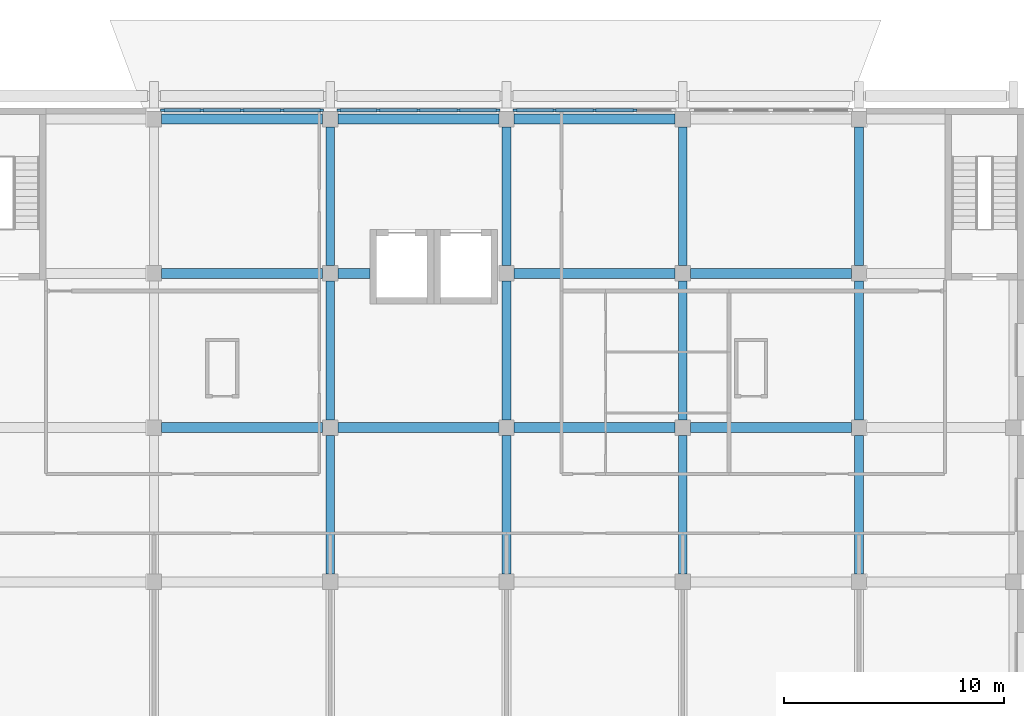
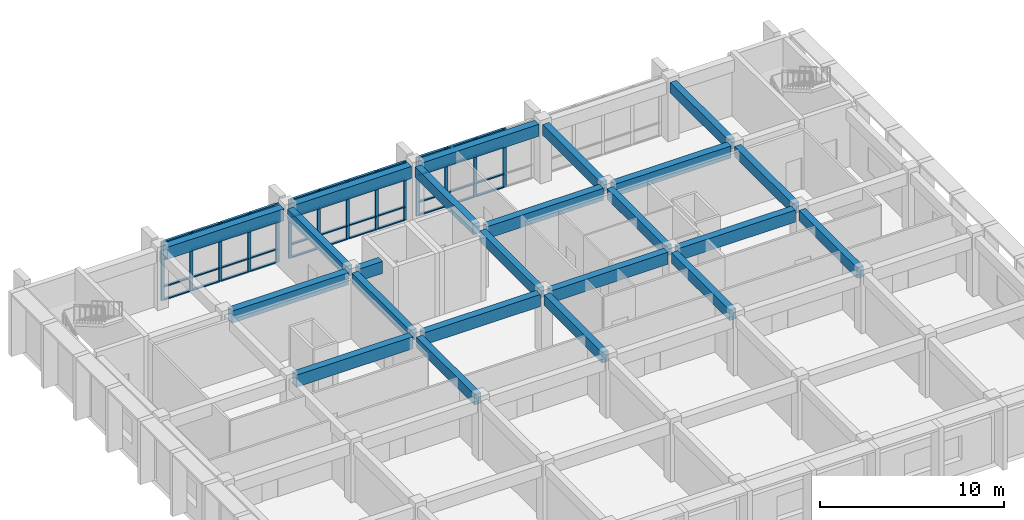
# One storey, part 16 of 45: 58 members, 23 beams, 3 elements without a shape of their own.
"""IFC4 building model written with IfcOpenShell, lengths in metres."""

from ifc_helpers import new_model, si_unit, direction, frame, origin, origin_2d, place, context, subcontext, project, spatial, rectangle, extrude, material, material_profile, profile_set, type_object, element, aggregate, save


model = new_model("IFC4")

# Units and contexts
model_context = context("Model", 3, precision=1e-05, world=origin(), true_north=direction((0.0, 1.0)))
body_context = subcontext(model_context, "Body", "Model", "MODEL_VIEW")
ifc_project = project(units=[si_unit("LENGTHUNIT", "METRE"), si_unit("AREAUNIT", "SQUARE_METRE"), si_unit("VOLUMEUNIT", "CUBIC_METRE"), si_unit("PLANEANGLEUNIT", "RADIAN"), si_unit("MASSUNIT", "GRAM", prefix="KILO")], contexts=[model_context])

# Site, building, storey
site_placement = place(None, origin())
site = spatial("IfcSite", under=ifc_project, at=site_placement, CompositionType="ELEMENT")
building_placement = place(site_placement, origin())
building = spatial("IfcBuilding", under=site, at=building_placement, Name="Elmora Arch Market Hall", CompositionType="ELEMENT")
storey_placement = place(building_placement, frame((0.0, 0.0, 6.0)))
storey = spatial("IfcBuildingStorey", under=building, at=storey_placement, Name="L01", CompositionType="ELEMENT", Elevation=6.0)

# Curtain wall, members
ifc_material_1 = material(Name="Aluminium", Category="aluminium")
curtain_wall_type = type_object("IfcCurtainWallType", Name="School front curtain wall", PredefinedType="NOTDEFINED", material=ifc_material_1)
curtain_wall_1_placement = place(storey_placement, origin())
curtain_wall_1 = element("IfcCurtainWall", 1, at=curtain_wall_1_placement, inside=storey, type_object=curtain_wall_type, Name="School street front L01 1", PredefinedType="NOTDEFINED")
ifc_material_2 = material(Name="Aluminium", Category="aluminium")
ifc_material_profile_1 = material_profile(ifc_material_2, rectangle(XDim=0.10009765625, YDim=0.199951171875, at=origin_2d()), Name="AL 100x200")
ifc_profile_set_1 = profile_set([ifc_material_profile_1], Name="Aluminium")
member_type_1 = type_object("IfcMemberType", Name="Mullion 100x200", PredefinedType="MULLION", material=ifc_profile_set_1)
member_1_placement = place(storey_placement, frame((94.89990234375, 165.89990234375, 0.0), z_axis=(0.0, 0.0, 1.0), x_axis=(0.0, 1.0, 0.0)))
member_1 = element("IfcMember", 2, at=member_1_placement, type_object=member_type_1, Name="CW5 mullion 1", PredefinedType="MULLION", context=body_context, shape_type="SweptSolid", body=[
    extrude(rectangle(XDim=0.10009765625, YDim=0.199951171875, at=origin_2d()), origin(), (0.0, 0.0, 1.0), 3.89990234375),
])
member_2_placement = place(storey_placement, frame((96.675048828125, 165.89990234375, 0.0), z_axis=(0.0, 0.0, 1.0), x_axis=(0.0, 1.0, 0.0)))
member_2 = element("IfcMember", 3, at=member_2_placement, type_object=member_type_1, Name="CW5 mullion 2", PredefinedType="MULLION", context=body_context, shape_type="SweptSolid", body=[
    extrude(rectangle(XDim=0.10009765625, YDim=0.199951171875, at=origin_2d()), origin(), (0.0, 0.0, 1.0), 3.89990234375),
])
member_3_placement = place(storey_placement, frame((98.5, 165.89990234375, 0.0), z_axis=(0.0, 0.0, 1.0), x_axis=(0.0, 1.0, 0.0)))
member_3 = element("IfcMember", 4, at=member_3_placement, type_object=member_type_1, Name="CW5 mullion 3", PredefinedType="MULLION", context=body_context, shape_type="SweptSolid", body=[
    extrude(rectangle(XDim=0.10009765625, YDim=0.199951171875, at=origin_2d()), origin(), (0.0, 0.0, 1.0), 3.89990234375),
])
member_4_placement = place(storey_placement, frame((100.324951171875, 165.89990234375, 0.0), z_axis=(0.0, 0.0, 1.0), x_axis=(0.0, 1.0, 0.0)))
member_4 = element("IfcMember", 5, at=member_4_placement, type_object=member_type_1, Name="CW5 mullion 4", PredefinedType="MULLION", context=body_context, shape_type="SweptSolid", body=[
    extrude(rectangle(XDim=0.10009765625, YDim=0.199951171875, at=origin_2d()), origin(), (0.0, 0.0, 1.0), 3.89990234375),
])
member_5_placement = place(storey_placement, frame((102.10009765625, 165.89990234375, 0.0), z_axis=(0.0, 0.0, 1.0), x_axis=(0.0, 1.0, 0.0)))
member_5 = element("IfcMember", 6, at=member_5_placement, type_object=member_type_1, Name="CW5 mullion 5", PredefinedType="MULLION", context=body_context, shape_type="SweptSolid", body=[
    extrude(rectangle(XDim=0.10009765625, YDim=0.199951171875, at=origin_2d()), origin(), (0.0, 0.0, 1.0), 3.89990234375),
])

curtain_wall_2_placement = place(storey_placement, origin())
curtain_wall_2 = element("IfcCurtainWall", 7, at=curtain_wall_2_placement, inside=storey, type_object=curtain_wall_type, Name="School street front L01 2", PredefinedType="NOTDEFINED")
member_6_placement = place(storey_placement, frame((102.89990234375, 165.89990234375, 0.0), z_axis=(0.0, 0.0, 1.0), x_axis=(0.0, 1.0, 0.0)))
member_6 = element("IfcMember", 8, at=member_6_placement, type_object=member_type_1, Name="CW5 mullion 1", PredefinedType="MULLION", context=body_context, shape_type="SweptSolid", body=[
    extrude(rectangle(XDim=0.10009765625, YDim=0.199951171875, at=origin_2d()), origin(), (0.0, 0.0, 1.0), 3.89990234375),
])
member_7_placement = place(storey_placement, frame((104.675048828125, 165.89990234375, 0.0), z_axis=(0.0, 0.0, 1.0), x_axis=(0.0, 1.0, 0.0)))
member_7 = element("IfcMember", 9, at=member_7_placement, type_object=member_type_1, Name="CW5 mullion 2", PredefinedType="MULLION", context=body_context, shape_type="SweptSolid", body=[
    extrude(rectangle(XDim=0.10009765625, YDim=0.199951171875, at=origin_2d()), origin(), (0.0, 0.0, 1.0), 3.89990234375),
])
member_8_placement = place(storey_placement, frame((106.5, 165.89990234375, 0.0), z_axis=(0.0, 0.0, 1.0), x_axis=(0.0, 1.0, 0.0)))
member_8 = element("IfcMember", 10, at=member_8_placement, type_object=member_type_1, Name="CW5 mullion 3", PredefinedType="MULLION", context=body_context, shape_type="SweptSolid", body=[
    extrude(rectangle(XDim=0.10009765625, YDim=0.199951171875, at=origin_2d()), origin(), (0.0, 0.0, 1.0), 3.89990234375),
])
member_9_placement = place(storey_placement, frame((108.324951171875, 165.89990234375, 0.0), z_axis=(0.0, 0.0, 1.0), x_axis=(0.0, 1.0, 0.0)))
member_9 = element("IfcMember", 11, at=member_9_placement, type_object=member_type_1, Name="CW5 mullion 4", PredefinedType="MULLION", context=body_context, shape_type="SweptSolid", body=[
    extrude(rectangle(XDim=0.10009765625, YDim=0.199951171875, at=origin_2d()), origin(), (0.0, 0.0, 1.0), 3.89990234375),
])
member_10_placement = place(storey_placement, frame((110.10009765625, 165.89990234375, 0.0), z_axis=(0.0, 0.0, 1.0), x_axis=(0.0, 1.0, 0.0)))
member_10 = element("IfcMember", 12, at=member_10_placement, type_object=member_type_1, Name="CW5 mullion 5", PredefinedType="MULLION", context=body_context, shape_type="SweptSolid", body=[
    extrude(rectangle(XDim=0.10009765625, YDim=0.199951171875, at=origin_2d()), origin(), (0.0, 0.0, 1.0), 3.89990234375),
])

curtain_wall_3_placement = place(storey_placement, origin())
curtain_wall_3 = element("IfcCurtainWall", 13, at=curtain_wall_3_placement, inside=storey, type_object=curtain_wall_type, Name="School street front L01 3", PredefinedType="NOTDEFINED")
member_11_placement = place(storey_placement, frame((110.89990234375, 165.89990234375, 0.0), z_axis=(0.0, 0.0, 1.0), x_axis=(0.0, 1.0, 0.0)))
member_11 = element("IfcMember", 14, at=member_11_placement, type_object=member_type_1, Name="CW5 mullion 1", PredefinedType="MULLION", context=body_context, shape_type="SweptSolid", body=[
    extrude(rectangle(XDim=0.10009765625, YDim=0.199951171875, at=origin_2d()), origin(), (0.0, 0.0, 1.0), 3.89990234375),
])
member_12_placement = place(storey_placement, frame((112.675048828125, 165.89990234375, 0.0), z_axis=(0.0, 0.0, 1.0), x_axis=(0.0, 1.0, 0.0)))
member_12 = element("IfcMember", 15, at=member_12_placement, type_object=member_type_1, Name="CW5 mullion 2", PredefinedType="MULLION", context=body_context, shape_type="SweptSolid", body=[
    extrude(rectangle(XDim=0.10009765625, YDim=0.199951171875, at=origin_2d()), origin(), (0.0, 0.0, 1.0), 3.89990234375),
])
member_13_placement = place(storey_placement, frame((114.5, 165.89990234375, 0.0), z_axis=(0.0, 0.0, 1.0), x_axis=(0.0, 1.0, 0.0)))
member_13 = element("IfcMember", 16, at=member_13_placement, type_object=member_type_1, Name="CW5 mullion 3", PredefinedType="MULLION", context=body_context, shape_type="SweptSolid", body=[
    extrude(rectangle(XDim=0.10009765625, YDim=0.199951171875, at=origin_2d()), origin(), (0.0, 0.0, 1.0), 3.89990234375),
])
member_14_placement = place(storey_placement, frame((116.324951171875, 165.89990234375, 0.0), z_axis=(0.0, 0.0, 1.0), x_axis=(0.0, 1.0, 0.0)))
member_14 = element("IfcMember", 17, at=member_14_placement, type_object=member_type_1, Name="CW5 mullion 4", PredefinedType="MULLION", context=body_context, shape_type="SweptSolid", body=[
    extrude(rectangle(XDim=0.10009765625, YDim=0.199951171875, at=origin_2d()), origin(), (0.0, 0.0, 1.0), 3.89990234375),
])

# Beams
ifc_material_3 = material(Name="Concrete C32/40", Category="concrete")
ifc_material_profile_2 = material_profile(ifc_material_3, rectangle(XDim=0.39990234375, YDim=0.699951171875, at=origin_2d()), Name="School beam 400x700")
ifc_profile_set_2 = profile_set([ifc_material_profile_2], Name="Concrete C32/40")
beam_type_1 = type_object("IfcBeamType", Name="School beam 400x700", PredefinedType="BEAM", material=ifc_profile_set_2)
for number, where, z_axis, x_axis, name in (
    (18, (102.5, 144.85009765625, 3.550048828125), (0.0, 1.0, 0.0), (-1.0, 0.0, 0.0), "School beam SY3 L01.3"),
    (19, (102.5, 151.85009765625, 3.550048828125), (0.0, 1.0, 0.0), (-1.0, 0.0, 0.0), "School beam SY3 L01.4"),
    (20, (102.5, 158.85009765625, 3.550048828125), (0.0, 1.0, 0.0), (-1.0, 0.0, 0.0), "School beam SY3 L01.5"),
    (21, (110.5, 144.85009765625, 3.550048828125), (0.0, 1.0, 0.0), (-1.0, 0.0, 0.0), "School beam SY4 L01.3"),
    (22, (110.5, 151.85009765625, 3.550048828125), (0.0, 1.0, 0.0), (-1.0, 0.0, 0.0), "School beam SY4 L01.4"),
    (23, (110.5, 158.85009765625, 3.550048828125), (0.0, 1.0, 0.0), (-1.0, 0.0, 0.0), "School beam SY4 L01.5"),
    (24, (118.5, 144.85009765625, 3.550048828125), (0.0, 1.0, 0.0), (-1.0, 0.0, 0.0), "School beam SY5 L01.3"),
    (25, (118.5, 151.85009765625, 3.550048828125), (0.0, 1.0, 0.0), (-1.0, 0.0, 0.0), "School beam SY5 L01.4"),
    (26, (118.5, 158.85009765625, 3.550048828125), (0.0, 1.0, 0.0), (-1.0, 0.0, 0.0), "School beam SY5 L01.5"),
    (27, (126.5, 144.85009765625, 3.550048828125), (0.0, 1.0, 0.0), (-1.0, 0.0, 0.0), "School beam SY6 L01.3"),
    (28, (126.5, 151.85009765625, 3.550048828125), (0.0, 1.0, 0.0), (-1.0, 0.0, 0.0), "School beam SY6 L01.4"),
    (29, (126.5, 158.85009765625, 3.550048828125), (0.0, 1.0, 0.0), (-1.0, 0.0, 0.0), "School beam SY6 L01.5"),
):
    element("IfcBeam", number, at=place(storey_placement, frame(where, z_axis=z_axis, x_axis=x_axis)), inside=storey, type_object=beam_type_1, Name=name, PredefinedType="BEAM", context=body_context, shape_type="SweptSolid", body=[
        extrude(rectangle(XDim=0.39990234375, YDim=0.699951171875, at=origin_2d()), origin(), (0.0, 0.0, 1.0), 6.2998046875),
    ])
ifc_material_4 = material(Name="Concrete C32/40", Category="concrete")
ifc_material_profile_3 = material_profile(ifc_material_4, rectangle(XDim=0.449951171875, YDim=0.800048828125, at=origin_2d()), Name="School girder 450x800")
ifc_profile_set_3 = profile_set([ifc_material_profile_3], Name="Concrete C32/40")
beam_type_2 = type_object("IfcBeamType", Name="School girder 450x800", PredefinedType="BEAM", material=ifc_profile_set_3)
for number, where, z_axis, x_axis, name in (
    (30, (94.85009765625, 151.5, 3.5), (1.0, 0.0, 0.0), (0.0, 1.0, 0.0), "School girder SX4 L01.2"),
    (31, (102.85009765625, 151.5, 3.5), (1.0, 0.0, 0.0), (0.0, 1.0, 0.0), "School girder SX4 L01.3"),
    (32, (110.85009765625, 151.5, 3.5), (1.0, 0.0, 0.0), (0.0, 1.0, 0.0), "School girder SX4 L01.4"),
    (33, (118.85009765625, 151.5, 3.5), (1.0, 0.0, 0.0), (0.0, 1.0, 0.0), "School girder SX4 L01.5"),
    (34, (94.85009765625, 158.5, 3.5), (1.0, 0.0, 0.0), (0.0, 1.0, 0.0), "School girder SX5 L01.2"),
):
    element("IfcBeam", number, at=place(storey_placement, frame(where, z_axis=z_axis, x_axis=x_axis)), inside=storey, type_object=beam_type_2, Name=name, PredefinedType="BEAM", context=body_context, shape_type="SweptSolid", body=[
        extrude(rectangle(XDim=0.449951171875, YDim=0.800048828125, at=origin_2d()), origin(), (0.0, 0.0, 1.0), 7.2998046875),
    ])
beam_placement = place(storey_placement, frame((102.85009765625, 158.5, 3.5), z_axis=(1.0, 0.0, 0.0), x_axis=(0.0, 1.0, 0.0)))
element("IfcBeam", 35, at=beam_placement, inside=storey, type_object=beam_type_2, Name="School girder SX5 L01.3", PredefinedType="BEAM", context=body_context, shape_type="SweptSolid", body=[
    extrude(rectangle(XDim=0.449951171875, YDim=0.800048828125, at=origin_2d()), origin(), (0.0, 0.0, 1.0), 1.449951171875),
])
for number, where, z_axis, x_axis, name in (
    (36, (110.85009765625, 158.5, 3.5), (1.0, 0.0, 0.0), (0.0, 1.0, 0.0), "School girder SX5 L01.4"),
    (37, (118.85009765625, 158.5, 3.5), (1.0, 0.0, 0.0), (0.0, 1.0, 0.0), "School girder SX5 L01.5"),
    (38, (94.85009765625, 165.5, 3.5), (1.0, 0.0, 0.0), (0.0, 1.0, 0.0), "School girder SX6 L01.2"),
    (39, (102.85009765625, 165.5, 3.5), (1.0, 0.0, 0.0), (0.0, 1.0, 0.0), "School girder SX6 L01.3"),
    (40, (110.85009765625, 165.5, 3.5), (1.0, 0.0, 0.0), (0.0, 1.0, 0.0), "School girder SX6 L01.4"),
):
    element("IfcBeam", number, at=place(storey_placement, frame(where, z_axis=z_axis, x_axis=x_axis)), inside=storey, type_object=beam_type_2, Name=name, PredefinedType="BEAM", context=body_context, shape_type="SweptSolid", body=[
        extrude(rectangle(XDim=0.449951171875, YDim=0.800048828125, at=origin_2d()), origin(), (0.0, 0.0, 1.0), 7.2998046875),
    ])

# Member
ifc_material_5 = material(Name="Aluminium", Category="aluminium")
ifc_material_profile_4 = material_profile(ifc_material_5, rectangle(XDim=0.14990234375, YDim=0.074951171875, at=origin_2d()), Name="AL 150x75")
ifc_profile_set_4 = profile_set([ifc_material_profile_4], Name="Aluminium")
member_type_2 = type_object("IfcMemberType", Name="Transom 150x75", PredefinedType="USERDEFINED", material=ifc_profile_set_4)
member_15_placement = place(storey_placement, frame((94.949951171875, 165.89990234375, 0.03759765625), z_axis=(1.0, 0.0, 0.0), x_axis=(0.0, 1.0, 0.0)))
member_15 = element("IfcMember", 41, at=member_15_placement, type_object=member_type_2, Name="CW5 transom 1.1", ObjectType="TRANSOM", PredefinedType="USERDEFINED", context=body_context, shape_type="SweptSolid", body=[
    extrude(rectangle(XDim=0.14990234375, YDim=0.074951171875, at=origin_2d()), origin(), (0.0, 0.0, 1.0), 1.675048828125),
])

member_16_placement = place(storey_placement, frame((94.949951171875, 165.89990234375, 0.89990234375), z_axis=(1.0, 0.0, 0.0), x_axis=(0.0, 1.0, 0.0)))
member_16 = element("IfcMember", 42, at=member_16_placement, type_object=member_type_2, Name="CW5 transom 1.2", ObjectType="TRANSOM", PredefinedType="USERDEFINED", context=body_context, shape_type="SweptSolid", body=[
    extrude(rectangle(XDim=0.14990234375, YDim=0.074951171875, at=origin_2d()), origin(), (0.0, 0.0, 1.0), 1.675048828125),
])

member_17_placement = place(storey_placement, frame((94.949951171875, 165.89990234375, 2.699951171875), z_axis=(1.0, 0.0, 0.0), x_axis=(0.0, 1.0, 0.0)))
member_17 = element("IfcMember", 43, at=member_17_placement, type_object=member_type_2, Name="CW5 transom 1.3", ObjectType="TRANSOM", PredefinedType="USERDEFINED", context=body_context, shape_type="SweptSolid", body=[
    extrude(rectangle(XDim=0.14990234375, YDim=0.074951171875, at=origin_2d()), origin(), (0.0, 0.0, 1.0), 1.675048828125),
])

member_18_placement = place(storey_placement, frame((94.949951171875, 165.89990234375, 3.862548828125), z_axis=(1.0, 0.0, 0.0), x_axis=(0.0, 1.0, 0.0)))
member_18 = element("IfcMember", 44, at=member_18_placement, type_object=member_type_2, Name="CW5 transom 1.4", ObjectType="TRANSOM", PredefinedType="USERDEFINED", context=body_context, shape_type="SweptSolid", body=[
    extrude(rectangle(XDim=0.14990234375, YDim=0.074951171875, at=origin_2d()), origin(), (0.0, 0.0, 1.0), 1.675048828125),
])

member_19_placement = place(storey_placement, frame((96.72509765625, 165.89990234375, 0.03759765625), z_axis=(1.0, 0.0, 0.0), x_axis=(0.0, 1.0, 0.0)))
member_19 = element("IfcMember", 45, at=member_19_placement, type_object=member_type_2, Name="CW5 transom 2.1", ObjectType="TRANSOM", PredefinedType="USERDEFINED", context=body_context, shape_type="SweptSolid", body=[
    extrude(rectangle(XDim=0.14990234375, YDim=0.074951171875, at=origin_2d()), origin(), (0.0, 0.0, 1.0), 1.724853515625),
])

member_20_placement = place(storey_placement, frame((96.72509765625, 165.89990234375, 0.89990234375), z_axis=(1.0, 0.0, 0.0), x_axis=(0.0, 1.0, 0.0)))
member_20 = element("IfcMember", 46, at=member_20_placement, type_object=member_type_2, Name="CW5 transom 2.2", ObjectType="TRANSOM", PredefinedType="USERDEFINED", context=body_context, shape_type="SweptSolid", body=[
    extrude(rectangle(XDim=0.14990234375, YDim=0.074951171875, at=origin_2d()), origin(), (0.0, 0.0, 1.0), 1.724853515625),
])

member_21_placement = place(storey_placement, frame((96.72509765625, 165.89990234375, 2.699951171875), z_axis=(1.0, 0.0, 0.0), x_axis=(0.0, 1.0, 0.0)))
member_21 = element("IfcMember", 47, at=member_21_placement, type_object=member_type_2, Name="CW5 transom 2.3", ObjectType="TRANSOM", PredefinedType="USERDEFINED", context=body_context, shape_type="SweptSolid", body=[
    extrude(rectangle(XDim=0.14990234375, YDim=0.074951171875, at=origin_2d()), origin(), (0.0, 0.0, 1.0), 1.724853515625),
])

member_22_placement = place(storey_placement, frame((96.72509765625, 165.89990234375, 3.862548828125), z_axis=(1.0, 0.0, 0.0), x_axis=(0.0, 1.0, 0.0)))
member_22 = element("IfcMember", 48, at=member_22_placement, type_object=member_type_2, Name="CW5 transom 2.4", ObjectType="TRANSOM", PredefinedType="USERDEFINED", context=body_context, shape_type="SweptSolid", body=[
    extrude(rectangle(XDim=0.14990234375, YDim=0.074951171875, at=origin_2d()), origin(), (0.0, 0.0, 1.0), 1.724853515625),
])

member_23_placement = place(storey_placement, frame((98.550048828125, 165.89990234375, 0.03759765625), z_axis=(1.0, 0.0, 0.0), x_axis=(0.0, 1.0, 0.0)))
member_23 = element("IfcMember", 49, at=member_23_placement, type_object=member_type_2, Name="CW5 transom 3.1", ObjectType="TRANSOM", PredefinedType="USERDEFINED", context=body_context, shape_type="SweptSolid", body=[
    extrude(rectangle(XDim=0.14990234375, YDim=0.074951171875, at=origin_2d()), origin(), (0.0, 0.0, 1.0), 1.724853515625),
])

member_24_placement = place(storey_placement, frame((98.550048828125, 165.89990234375, 0.89990234375), z_axis=(1.0, 0.0, 0.0), x_axis=(0.0, 1.0, 0.0)))
member_24 = element("IfcMember", 50, at=member_24_placement, type_object=member_type_2, Name="CW5 transom 3.2", ObjectType="TRANSOM", PredefinedType="USERDEFINED", context=body_context, shape_type="SweptSolid", body=[
    extrude(rectangle(XDim=0.14990234375, YDim=0.074951171875, at=origin_2d()), origin(), (0.0, 0.0, 1.0), 1.724853515625),
])

member_25_placement = place(storey_placement, frame((98.550048828125, 165.89990234375, 2.699951171875), z_axis=(1.0, 0.0, 0.0), x_axis=(0.0, 1.0, 0.0)))
member_25 = element("IfcMember", 51, at=member_25_placement, type_object=member_type_2, Name="CW5 transom 3.3", ObjectType="TRANSOM", PredefinedType="USERDEFINED", context=body_context, shape_type="SweptSolid", body=[
    extrude(rectangle(XDim=0.14990234375, YDim=0.074951171875, at=origin_2d()), origin(), (0.0, 0.0, 1.0), 1.724853515625),
])

member_26_placement = place(storey_placement, frame((98.550048828125, 165.89990234375, 3.862548828125), z_axis=(1.0, 0.0, 0.0), x_axis=(0.0, 1.0, 0.0)))
member_26 = element("IfcMember", 52, at=member_26_placement, type_object=member_type_2, Name="CW5 transom 3.4", ObjectType="TRANSOM", PredefinedType="USERDEFINED", context=body_context, shape_type="SweptSolid", body=[
    extrude(rectangle(XDim=0.14990234375, YDim=0.074951171875, at=origin_2d()), origin(), (0.0, 0.0, 1.0), 1.724853515625),
])

member_27_placement = place(storey_placement, frame((100.375, 165.89990234375, 0.03759765625), z_axis=(1.0, 0.0, 0.0), x_axis=(0.0, 1.0, 0.0)))
member_27 = element("IfcMember", 53, at=member_27_placement, type_object=member_type_2, Name="CW5 transom 4.1", ObjectType="TRANSOM", PredefinedType="USERDEFINED", context=body_context, shape_type="SweptSolid", body=[
    extrude(rectangle(XDim=0.14990234375, YDim=0.074951171875, at=origin_2d()), origin(), (0.0, 0.0, 1.0), 1.675048828125),
])

member_28_placement = place(storey_placement, frame((100.375, 165.89990234375, 0.89990234375), z_axis=(1.0, 0.0, 0.0), x_axis=(0.0, 1.0, 0.0)))
member_28 = element("IfcMember", 54, at=member_28_placement, type_object=member_type_2, Name="CW5 transom 4.2", ObjectType="TRANSOM", PredefinedType="USERDEFINED", context=body_context, shape_type="SweptSolid", body=[
    extrude(rectangle(XDim=0.14990234375, YDim=0.074951171875, at=origin_2d()), origin(), (0.0, 0.0, 1.0), 1.675048828125),
])

member_29_placement = place(storey_placement, frame((100.375, 165.89990234375, 2.699951171875), z_axis=(1.0, 0.0, 0.0), x_axis=(0.0, 1.0, 0.0)))
member_29 = element("IfcMember", 55, at=member_29_placement, type_object=member_type_2, Name="CW5 transom 4.3", ObjectType="TRANSOM", PredefinedType="USERDEFINED", context=body_context, shape_type="SweptSolid", body=[
    extrude(rectangle(XDim=0.14990234375, YDim=0.074951171875, at=origin_2d()), origin(), (0.0, 0.0, 1.0), 1.675048828125),
])

member_30_placement = place(storey_placement, frame((100.375, 165.89990234375, 3.862548828125), z_axis=(1.0, 0.0, 0.0), x_axis=(0.0, 1.0, 0.0)))
member_30 = element("IfcMember", 56, at=member_30_placement, type_object=member_type_2, Name="CW5 transom 4.4", ObjectType="TRANSOM", PredefinedType="USERDEFINED", context=body_context, shape_type="SweptSolid", body=[
    extrude(rectangle(XDim=0.14990234375, YDim=0.074951171875, at=origin_2d()), origin(), (0.0, 0.0, 1.0), 1.675048828125),
])

aggregate(curtain_wall_1, [member_1, member_2, member_3, member_4, member_5, member_15, member_16, member_17, member_18, member_19, member_20, member_21, member_22, member_23, member_24, member_25, member_26, member_27, member_28, member_29, member_30])

member_31_placement = place(storey_placement, frame((102.949951171875, 165.89990234375, 0.03759765625), z_axis=(1.0, 0.0, 0.0), x_axis=(0.0, 1.0, 0.0)))
member_31 = element("IfcMember", 57, at=member_31_placement, type_object=member_type_2, Name="CW5 transom 1.1", ObjectType="TRANSOM", PredefinedType="USERDEFINED", context=body_context, shape_type="SweptSolid", body=[
    extrude(rectangle(XDim=0.14990234375, YDim=0.074951171875, at=origin_2d()), origin(), (0.0, 0.0, 1.0), 1.675048828125),
])

member_32_placement = place(storey_placement, frame((102.949951171875, 165.89990234375, 0.89990234375), z_axis=(1.0, 0.0, 0.0), x_axis=(0.0, 1.0, 0.0)))
member_32 = element("IfcMember", 58, at=member_32_placement, type_object=member_type_2, Name="CW5 transom 1.2", ObjectType="TRANSOM", PredefinedType="USERDEFINED", context=body_context, shape_type="SweptSolid", body=[
    extrude(rectangle(XDim=0.14990234375, YDim=0.074951171875, at=origin_2d()), origin(), (0.0, 0.0, 1.0), 1.675048828125),
])

member_33_placement = place(storey_placement, frame((102.949951171875, 165.89990234375, 2.699951171875), z_axis=(1.0, 0.0, 0.0), x_axis=(0.0, 1.0, 0.0)))
member_33 = element("IfcMember", 59, at=member_33_placement, type_object=member_type_2, Name="CW5 transom 1.3", ObjectType="TRANSOM", PredefinedType="USERDEFINED", context=body_context, shape_type="SweptSolid", body=[
    extrude(rectangle(XDim=0.14990234375, YDim=0.074951171875, at=origin_2d()), origin(), (0.0, 0.0, 1.0), 1.675048828125),
])

member_34_placement = place(storey_placement, frame((102.949951171875, 165.89990234375, 3.862548828125), z_axis=(1.0, 0.0, 0.0), x_axis=(0.0, 1.0, 0.0)))
member_34 = element("IfcMember", 60, at=member_34_placement, type_object=member_type_2, Name="CW5 transom 1.4", ObjectType="TRANSOM", PredefinedType="USERDEFINED", context=body_context, shape_type="SweptSolid", body=[
    extrude(rectangle(XDim=0.14990234375, YDim=0.074951171875, at=origin_2d()), origin(), (0.0, 0.0, 1.0), 1.675048828125),
])

member_35_placement = place(storey_placement, frame((104.72509765625, 165.89990234375, 0.03759765625), z_axis=(1.0, 0.0, 0.0), x_axis=(0.0, 1.0, 0.0)))
member_35 = element("IfcMember", 61, at=member_35_placement, type_object=member_type_2, Name="CW5 transom 2.1", ObjectType="TRANSOM", PredefinedType="USERDEFINED", context=body_context, shape_type="SweptSolid", body=[
    extrude(rectangle(XDim=0.14990234375, YDim=0.074951171875, at=origin_2d()), origin(), (0.0, 0.0, 1.0), 1.724853515625),
])

member_36_placement = place(storey_placement, frame((104.72509765625, 165.89990234375, 0.89990234375), z_axis=(1.0, 0.0, 0.0), x_axis=(0.0, 1.0, 0.0)))
member_36 = element("IfcMember", 62, at=member_36_placement, type_object=member_type_2, Name="CW5 transom 2.2", ObjectType="TRANSOM", PredefinedType="USERDEFINED", context=body_context, shape_type="SweptSolid", body=[
    extrude(rectangle(XDim=0.14990234375, YDim=0.074951171875, at=origin_2d()), origin(), (0.0, 0.0, 1.0), 1.724853515625),
])

member_37_placement = place(storey_placement, frame((104.72509765625, 165.89990234375, 2.699951171875), z_axis=(1.0, 0.0, 0.0), x_axis=(0.0, 1.0, 0.0)))
member_37 = element("IfcMember", 63, at=member_37_placement, type_object=member_type_2, Name="CW5 transom 2.3", ObjectType="TRANSOM", PredefinedType="USERDEFINED", context=body_context, shape_type="SweptSolid", body=[
    extrude(rectangle(XDim=0.14990234375, YDim=0.074951171875, at=origin_2d()), origin(), (0.0, 0.0, 1.0), 1.724853515625),
])

member_38_placement = place(storey_placement, frame((104.72509765625, 165.89990234375, 3.862548828125), z_axis=(1.0, 0.0, 0.0), x_axis=(0.0, 1.0, 0.0)))
member_38 = element("IfcMember", 64, at=member_38_placement, type_object=member_type_2, Name="CW5 transom 2.4", ObjectType="TRANSOM", PredefinedType="USERDEFINED", context=body_context, shape_type="SweptSolid", body=[
    extrude(rectangle(XDim=0.14990234375, YDim=0.074951171875, at=origin_2d()), origin(), (0.0, 0.0, 1.0), 1.724853515625),
])

member_39_placement = place(storey_placement, frame((106.550048828125, 165.89990234375, 0.03759765625), z_axis=(1.0, 0.0, 0.0), x_axis=(0.0, 1.0, 0.0)))
member_39 = element("IfcMember", 65, at=member_39_placement, type_object=member_type_2, Name="CW5 transom 3.1", ObjectType="TRANSOM", PredefinedType="USERDEFINED", context=body_context, shape_type="SweptSolid", body=[
    extrude(rectangle(XDim=0.14990234375, YDim=0.074951171875, at=origin_2d()), origin(), (0.0, 0.0, 1.0), 1.724853515625),
])

member_40_placement = place(storey_placement, frame((106.550048828125, 165.89990234375, 0.89990234375), z_axis=(1.0, 0.0, 0.0), x_axis=(0.0, 1.0, 0.0)))
member_40 = element("IfcMember", 66, at=member_40_placement, type_object=member_type_2, Name="CW5 transom 3.2", ObjectType="TRANSOM", PredefinedType="USERDEFINED", context=body_context, shape_type="SweptSolid", body=[
    extrude(rectangle(XDim=0.14990234375, YDim=0.074951171875, at=origin_2d()), origin(), (0.0, 0.0, 1.0), 1.724853515625),
])

member_41_placement = place(storey_placement, frame((106.550048828125, 165.89990234375, 2.699951171875), z_axis=(1.0, 0.0, 0.0), x_axis=(0.0, 1.0, 0.0)))
member_41 = element("IfcMember", 67, at=member_41_placement, type_object=member_type_2, Name="CW5 transom 3.3", ObjectType="TRANSOM", PredefinedType="USERDEFINED", context=body_context, shape_type="SweptSolid", body=[
    extrude(rectangle(XDim=0.14990234375, YDim=0.074951171875, at=origin_2d()), origin(), (0.0, 0.0, 1.0), 1.724853515625),
])

member_42_placement = place(storey_placement, frame((106.550048828125, 165.89990234375, 3.862548828125), z_axis=(1.0, 0.0, 0.0), x_axis=(0.0, 1.0, 0.0)))
member_42 = element("IfcMember", 68, at=member_42_placement, type_object=member_type_2, Name="CW5 transom 3.4", ObjectType="TRANSOM", PredefinedType="USERDEFINED", context=body_context, shape_type="SweptSolid", body=[
    extrude(rectangle(XDim=0.14990234375, YDim=0.074951171875, at=origin_2d()), origin(), (0.0, 0.0, 1.0), 1.724853515625),
])

member_43_placement = place(storey_placement, frame((108.375, 165.89990234375, 0.03759765625), z_axis=(1.0, 0.0, 0.0), x_axis=(0.0, 1.0, 0.0)))
member_43 = element("IfcMember", 69, at=member_43_placement, type_object=member_type_2, Name="CW5 transom 4.1", ObjectType="TRANSOM", PredefinedType="USERDEFINED", context=body_context, shape_type="SweptSolid", body=[
    extrude(rectangle(XDim=0.14990234375, YDim=0.074951171875, at=origin_2d()), origin(), (0.0, 0.0, 1.0), 1.675048828125),
])

member_44_placement = place(storey_placement, frame((108.375, 165.89990234375, 0.89990234375), z_axis=(1.0, 0.0, 0.0), x_axis=(0.0, 1.0, 0.0)))
member_44 = element("IfcMember", 70, at=member_44_placement, type_object=member_type_2, Name="CW5 transom 4.2", ObjectType="TRANSOM", PredefinedType="USERDEFINED", context=body_context, shape_type="SweptSolid", body=[
    extrude(rectangle(XDim=0.14990234375, YDim=0.074951171875, at=origin_2d()), origin(), (0.0, 0.0, 1.0), 1.675048828125),
])

member_45_placement = place(storey_placement, frame((108.375, 165.89990234375, 2.699951171875), z_axis=(1.0, 0.0, 0.0), x_axis=(0.0, 1.0, 0.0)))
member_45 = element("IfcMember", 71, at=member_45_placement, type_object=member_type_2, Name="CW5 transom 4.3", ObjectType="TRANSOM", PredefinedType="USERDEFINED", context=body_context, shape_type="SweptSolid", body=[
    extrude(rectangle(XDim=0.14990234375, YDim=0.074951171875, at=origin_2d()), origin(), (0.0, 0.0, 1.0), 1.675048828125),
])

member_46_placement = place(storey_placement, frame((108.375, 165.89990234375, 3.862548828125), z_axis=(1.0, 0.0, 0.0), x_axis=(0.0, 1.0, 0.0)))
member_46 = element("IfcMember", 72, at=member_46_placement, type_object=member_type_2, Name="CW5 transom 4.4", ObjectType="TRANSOM", PredefinedType="USERDEFINED", context=body_context, shape_type="SweptSolid", body=[
    extrude(rectangle(XDim=0.14990234375, YDim=0.074951171875, at=origin_2d()), origin(), (0.0, 0.0, 1.0), 1.675048828125),
])

aggregate(curtain_wall_2, [member_6, member_7, member_8, member_9, member_10, member_31, member_32, member_33, member_34, member_35, member_36, member_37, member_38, member_39, member_40, member_41, member_42, member_43, member_44, member_45, member_46])

member_47_placement = place(storey_placement, frame((110.949951171875, 165.89990234375, 0.03759765625), z_axis=(1.0, 0.0, 0.0), x_axis=(0.0, 1.0, 0.0)))
member_47 = element("IfcMember", 73, at=member_47_placement, type_object=member_type_2, Name="CW5 transom 1.1", ObjectType="TRANSOM", PredefinedType="USERDEFINED", context=body_context, shape_type="SweptSolid", body=[
    extrude(rectangle(XDim=0.14990234375, YDim=0.074951171875, at=origin_2d()), origin(), (0.0, 0.0, 1.0), 1.675048828125),
])

member_48_placement = place(storey_placement, frame((110.949951171875, 165.89990234375, 0.89990234375), z_axis=(1.0, 0.0, 0.0), x_axis=(0.0, 1.0, 0.0)))
member_48 = element("IfcMember", 74, at=member_48_placement, type_object=member_type_2, Name="CW5 transom 1.2", ObjectType="TRANSOM", PredefinedType="USERDEFINED", context=body_context, shape_type="SweptSolid", body=[
    extrude(rectangle(XDim=0.14990234375, YDim=0.074951171875, at=origin_2d()), origin(), (0.0, 0.0, 1.0), 1.675048828125),
])

member_49_placement = place(storey_placement, frame((110.949951171875, 165.89990234375, 2.699951171875), z_axis=(1.0, 0.0, 0.0), x_axis=(0.0, 1.0, 0.0)))
member_49 = element("IfcMember", 75, at=member_49_placement, type_object=member_type_2, Name="CW5 transom 1.3", ObjectType="TRANSOM", PredefinedType="USERDEFINED", context=body_context, shape_type="SweptSolid", body=[
    extrude(rectangle(XDim=0.14990234375, YDim=0.074951171875, at=origin_2d()), origin(), (0.0, 0.0, 1.0), 1.675048828125),
])

member_50_placement = place(storey_placement, frame((110.949951171875, 165.89990234375, 3.862548828125), z_axis=(1.0, 0.0, 0.0), x_axis=(0.0, 1.0, 0.0)))
member_50 = element("IfcMember", 76, at=member_50_placement, type_object=member_type_2, Name="CW5 transom 1.4", ObjectType="TRANSOM", PredefinedType="USERDEFINED", context=body_context, shape_type="SweptSolid", body=[
    extrude(rectangle(XDim=0.14990234375, YDim=0.074951171875, at=origin_2d()), origin(), (0.0, 0.0, 1.0), 1.675048828125),
])

member_51_placement = place(storey_placement, frame((112.72509765625, 165.89990234375, 0.03759765625), z_axis=(1.0, 0.0, 0.0), x_axis=(0.0, 1.0, 0.0)))
member_51 = element("IfcMember", 77, at=member_51_placement, type_object=member_type_2, Name="CW5 transom 2.1", ObjectType="TRANSOM", PredefinedType="USERDEFINED", context=body_context, shape_type="SweptSolid", body=[
    extrude(rectangle(XDim=0.14990234375, YDim=0.074951171875, at=origin_2d()), origin(), (0.0, 0.0, 1.0), 1.724853515625),
])

member_52_placement = place(storey_placement, frame((112.72509765625, 165.89990234375, 0.89990234375), z_axis=(1.0, 0.0, 0.0), x_axis=(0.0, 1.0, 0.0)))
member_52 = element("IfcMember", 78, at=member_52_placement, type_object=member_type_2, Name="CW5 transom 2.2", ObjectType="TRANSOM", PredefinedType="USERDEFINED", context=body_context, shape_type="SweptSolid", body=[
    extrude(rectangle(XDim=0.14990234375, YDim=0.074951171875, at=origin_2d()), origin(), (0.0, 0.0, 1.0), 1.724853515625),
])

member_53_placement = place(storey_placement, frame((112.72509765625, 165.89990234375, 2.699951171875), z_axis=(1.0, 0.0, 0.0), x_axis=(0.0, 1.0, 0.0)))
member_53 = element("IfcMember", 79, at=member_53_placement, type_object=member_type_2, Name="CW5 transom 2.3", ObjectType="TRANSOM", PredefinedType="USERDEFINED", context=body_context, shape_type="SweptSolid", body=[
    extrude(rectangle(XDim=0.14990234375, YDim=0.074951171875, at=origin_2d()), origin(), (0.0, 0.0, 1.0), 1.724853515625),
])

member_54_placement = place(storey_placement, frame((112.72509765625, 165.89990234375, 3.862548828125), z_axis=(1.0, 0.0, 0.0), x_axis=(0.0, 1.0, 0.0)))
member_54 = element("IfcMember", 80, at=member_54_placement, type_object=member_type_2, Name="CW5 transom 2.4", ObjectType="TRANSOM", PredefinedType="USERDEFINED", context=body_context, shape_type="SweptSolid", body=[
    extrude(rectangle(XDim=0.14990234375, YDim=0.074951171875, at=origin_2d()), origin(), (0.0, 0.0, 1.0), 1.724853515625),
])

member_55_placement = place(storey_placement, frame((114.550048828125, 165.89990234375, 0.03759765625), z_axis=(1.0, 0.0, 0.0), x_axis=(0.0, 1.0, 0.0)))
member_55 = element("IfcMember", 81, at=member_55_placement, type_object=member_type_2, Name="CW5 transom 3.1", ObjectType="TRANSOM", PredefinedType="USERDEFINED", context=body_context, shape_type="SweptSolid", body=[
    extrude(rectangle(XDim=0.14990234375, YDim=0.074951171875, at=origin_2d()), origin(), (0.0, 0.0, 1.0), 1.724853515625),
])

member_56_placement = place(storey_placement, frame((114.550048828125, 165.89990234375, 0.89990234375), z_axis=(1.0, 0.0, 0.0), x_axis=(0.0, 1.0, 0.0)))
member_56 = element("IfcMember", 82, at=member_56_placement, type_object=member_type_2, Name="CW5 transom 3.2", ObjectType="TRANSOM", PredefinedType="USERDEFINED", context=body_context, shape_type="SweptSolid", body=[
    extrude(rectangle(XDim=0.14990234375, YDim=0.074951171875, at=origin_2d()), origin(), (0.0, 0.0, 1.0), 1.724853515625),
])

member_57_placement = place(storey_placement, frame((114.550048828125, 165.89990234375, 2.699951171875), z_axis=(1.0, 0.0, 0.0), x_axis=(0.0, 1.0, 0.0)))
member_57 = element("IfcMember", 83, at=member_57_placement, type_object=member_type_2, Name="CW5 transom 3.3", ObjectType="TRANSOM", PredefinedType="USERDEFINED", context=body_context, shape_type="SweptSolid", body=[
    extrude(rectangle(XDim=0.14990234375, YDim=0.074951171875, at=origin_2d()), origin(), (0.0, 0.0, 1.0), 1.724853515625),
])

member_58_placement = place(storey_placement, frame((114.550048828125, 165.89990234375, 3.862548828125), z_axis=(1.0, 0.0, 0.0), x_axis=(0.0, 1.0, 0.0)))
member_58 = element("IfcMember", 84, at=member_58_placement, type_object=member_type_2, Name="CW5 transom 3.4", ObjectType="TRANSOM", PredefinedType="USERDEFINED", context=body_context, shape_type="SweptSolid", body=[
    extrude(rectangle(XDim=0.14990234375, YDim=0.074951171875, at=origin_2d()), origin(), (0.0, 0.0, 1.0), 1.724853515625),
])

aggregate(curtain_wall_3, [member_11, member_12, member_13, member_14, member_47, member_48, member_49, member_50, member_51, member_52, member_53, member_54, member_55, member_56, member_57, member_58])

save(model, "model.ifc")
